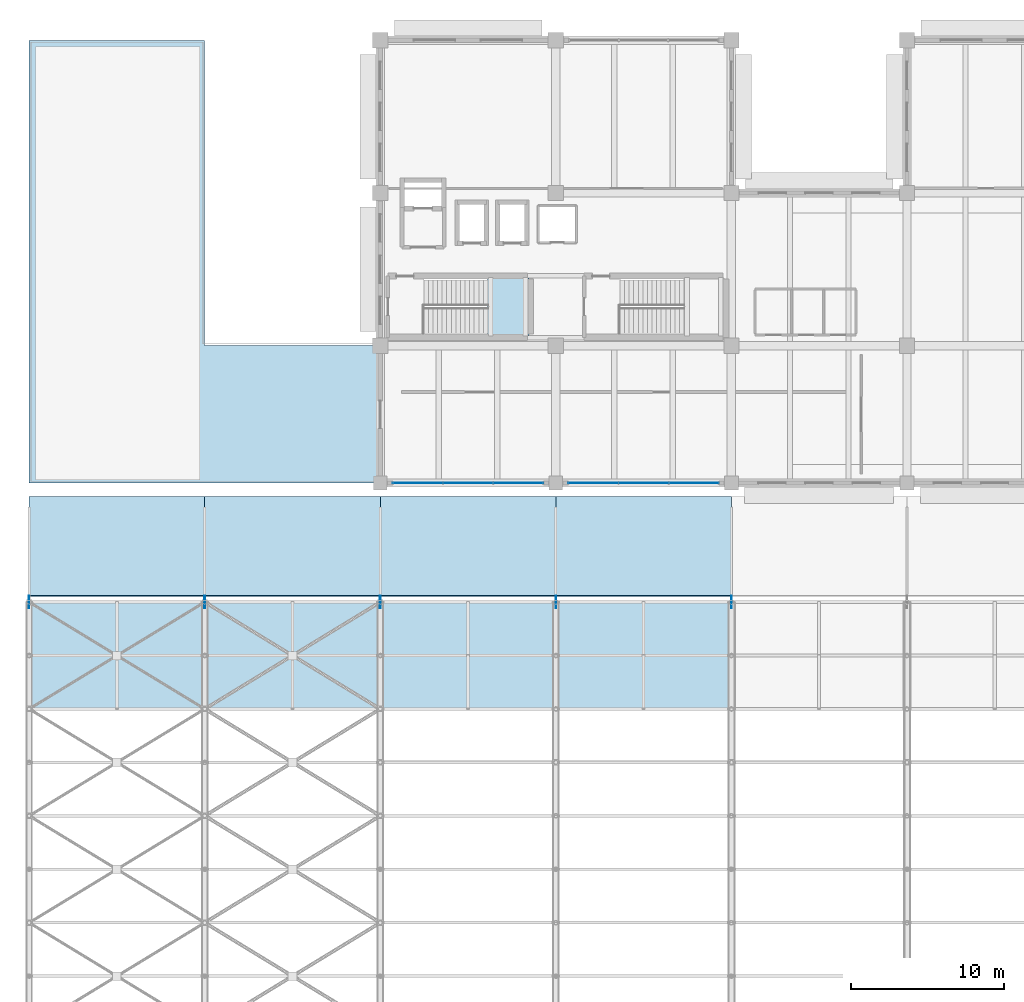
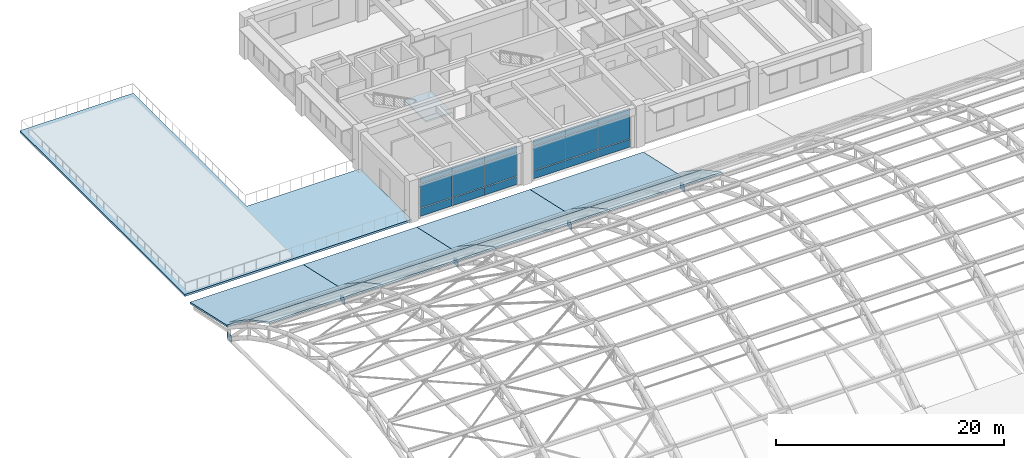
# One storey, part 127 of 154: 23 plates, 14 slabs, 3 elements without a shape of their own.
"""IFC4 building model written with IfcOpenShell, lengths in metres."""

from ifc_helpers import new_model, si_unit, direction, frame, origin, origin_2d, place, context, subcontext, project, spatial, polyline, rectangle, outline, extrude, material, layer, layer_set, type_object, element, aggregate, save


model = new_model("IFC4")

# Units and contexts
model_context = context("Model", 3, precision=1e-05, world=origin(), true_north=direction((0.0, 1.0)))
body_context = subcontext(model_context, "Body", "Model", "MODEL_VIEW")
ifc_project = project(units=[si_unit("LENGTHUNIT", "METRE"), si_unit("AREAUNIT", "SQUARE_METRE"), si_unit("VOLUMEUNIT", "CUBIC_METRE"), si_unit("PLANEANGLEUNIT", "RADIAN"), si_unit("MASSUNIT", "GRAM", prefix="KILO")], contexts=[model_context])

# Site, building, storey
site_placement = place(None, origin())
site = spatial("IfcSite", under=ifc_project, at=site_placement, CompositionType="ELEMENT")
building_placement = place(site_placement, origin())
building = spatial("IfcBuilding", under=site, at=building_placement, Name="Ologun Quay Terminus", CompositionType="ELEMENT")
storey_placement = place(building_placement, frame((0.0, 0.0, 13.800048828125)))
storey = spatial("IfcBuildingStorey", under=building, at=storey_placement, Name="L03", CompositionType="ELEMENT", Elevation=13.800048828125)

# Plates
ifc_material_1 = material(Name="Steel S355", Category="steel")
ifc_layer_1 = layer(ifc_material_1, 0.0400390625)
ifc_layer_set_1 = layer_set([ifc_layer_1], Name="Steel S355")
plate_type_1 = type_object("IfcPlateType", Name="Arch Springing Steel Gusset Plate 40", PredefinedType="SHEET", material=ifc_layer_set_1)
for number, where, z_axis, x_axis, name in (
    (1, (0.0, 78.0, -0.2001953125), (0.0, 0.0, 1.0), (0.0, 1.0, 0.0), "PL-GUS Arch Springing Gusset 1/F"),
    (2, (11.5, 78.0, -0.2001953125), (0.0, 0.0, 1.0), (0.0, 1.0, 0.0), "PL-GUS Arch Springing Gusset 2/F"),
    (3, (23.0, 78.0, -0.2001953125), (0.0, 0.0, 1.0), (0.0, 1.0, 0.0), "PL-GUS Arch Springing Gusset 3/F"),
    (4, (34.5, 78.0, -0.2001953125), (0.0, 0.0, 1.0), (0.0, 1.0, 0.0), "PL-GUS Arch Springing Gusset 4/F"),
    (5, (46.0, 78.0, -0.2001953125), (0.0, 0.0, 1.0), (0.0, 1.0, 0.0), "PL-GUS Arch Springing Gusset 5/F"),
):
    element("IfcPlate", number, at=place(storey_placement, frame(where, z_axis=z_axis, x_axis=x_axis)), inside=storey, type_object=plate_type_1, Name=name, PredefinedType="SHEET", context=body_context, shape_type="SweptSolid", body=[
        extrude(rectangle(XDim=0.800048828125, YDim=0.0400390625, at=origin_2d()), origin(), (0.0, 0.0, 1.0), 0.699951171875),
    ])

# Curtain wall, plates
ifc_material_2 = material(Name="Aluminium 6063-T6", Category="aluminium")
curtain_wall_type = type_object("IfcCurtainWallType", Name="Waterfront Pavilion Harbour Curtain Wall L03 10600x4150", PredefinedType="USERDEFINED", material=ifc_material_2)
curtain_wall_1_placement = place(storey_placement, origin())
curtain_wall_1 = element("IfcCurtainWall", 6, at=curtain_wall_1_placement, inside=storey, type_object=curtain_wall_type, Name="CW-25 Curtain Wall CW-L03-109", ObjectType="UNITISED CURTAIN WALL", PredefinedType="USERDEFINED")
ifc_material_3 = material(Name="Aluminium 6063-T6", Category="aluminium")
ifc_layer_2 = layer(ifc_material_3, 0.050048828125)
ifc_layer_set_2 = layer_set([ifc_layer_2], Name="Aluminium 6063-T6")
plate_type_2 = type_object("IfcPlateType", Name="Insulated Aluminium Shadow-Box Spandrel 50", PredefinedType="CURTAIN_PANEL", material=ifc_layer_set_2)
plate_1_placement = place(storey_placement, frame((25.46337890625, 85.800048828125, 0.02978515625), z_axis=(0.0, 0.0, 1.0), x_axis=(1.0, 0.0, 0.0)))
plate_1 = element("IfcPlate", 7, at=plate_1_placement, type_object=plate_type_2, Name="CW-L03-109 Panel B1-1", PredefinedType="CURTAIN_PANEL", context=body_context, shape_type="SweptSolid", body=[
    extrude(rectangle(XDim=3.28662109375, YDim=0.050048828125, at=origin_2d()), origin(), (0.0, 0.0, 1.0), 0.840087890625),
])
plate_2_placement = place(storey_placement, frame((28.75, 85.800048828125, 0.02978515625), z_axis=(0.0, 0.0, 1.0), x_axis=(1.0, 0.0, 0.0)))
plate_2 = element("IfcPlate", 8, at=plate_2_placement, type_object=plate_type_2, Name="CW-L03-109 Panel B2-1", PredefinedType="CURTAIN_PANEL", context=body_context, shape_type="SweptSolid", body=[
    extrude(rectangle(XDim=3.28662109375, YDim=0.050048828125, at=origin_2d()), origin(), (0.0, 0.0, 1.0), 0.840087890625),
])
plate_3_placement = place(storey_placement, frame((32.03662109375, 85.800048828125, 0.02978515625), z_axis=(0.0, 0.0, 1.0), x_axis=(1.0, 0.0, 0.0)))
plate_3 = element("IfcPlate", 9, at=plate_3_placement, type_object=plate_type_2, Name="CW-L03-109 Panel B3-1", PredefinedType="CURTAIN_PANEL", context=body_context, shape_type="SweptSolid", body=[
    extrude(rectangle(XDim=3.28662109375, YDim=0.050048828125, at=origin_2d()), origin(), (0.0, 0.0, 1.0), 0.840087890625),
])

curtain_wall_2_placement = place(storey_placement, origin())
curtain_wall_2 = element("IfcCurtainWall", 10, at=curtain_wall_2_placement, inside=storey, type_object=curtain_wall_type, Name="CW-25 Curtain Wall CW-L03-110", ObjectType="UNITISED CURTAIN WALL", PredefinedType="USERDEFINED")
plate_4_placement = place(storey_placement, frame((36.96337890625, 85.800048828125, 0.02978515625), z_axis=(0.0, 0.0, 1.0), x_axis=(1.0, 0.0, 0.0)))
plate_4 = element("IfcPlate", 11, at=plate_4_placement, type_object=plate_type_2, Name="CW-L03-110 Panel B1-1", PredefinedType="CURTAIN_PANEL", context=body_context, shape_type="SweptSolid", body=[
    extrude(rectangle(XDim=3.28662109375, YDim=0.050048828125, at=origin_2d()), origin(), (0.0, 0.0, 1.0), 0.840087890625),
])
plate_5_placement = place(storey_placement, frame((40.25, 85.800048828125, 0.02978515625), z_axis=(0.0, 0.0, 1.0), x_axis=(1.0, 0.0, 0.0)))
plate_5 = element("IfcPlate", 12, at=plate_5_placement, type_object=plate_type_2, Name="CW-L03-110 Panel B2-1", PredefinedType="CURTAIN_PANEL", context=body_context, shape_type="SweptSolid", body=[
    extrude(rectangle(XDim=3.28662109375, YDim=0.050048828125, at=origin_2d()), origin(), (0.0, 0.0, 1.0), 0.840087890625),
])
plate_6_placement = place(storey_placement, frame((43.53662109375, 85.800048828125, 0.02978515625), z_axis=(0.0, 0.0, 1.0), x_axis=(1.0, 0.0, 0.0)))
plate_6 = element("IfcPlate", 13, at=plate_6_placement, type_object=plate_type_2, Name="CW-L03-110 Panel B3-1", PredefinedType="CURTAIN_PANEL", context=body_context, shape_type="SweptSolid", body=[
    extrude(rectangle(XDim=3.28662109375, YDim=0.050048828125, at=origin_2d()), origin(), (0.0, 0.0, 1.0), 0.840087890625),
])

# Slabs
ifc_material_4 = material(Name="Concrete C40/50", Category="concrete")
ifc_layer_3 = layer(ifc_material_4, 0.199951171875)
ifc_layer_set_3 = layer_set([ifc_layer_3], Name="Concrete C40/50")
slab_type_1 = type_object("IfcSlabType", Name="Pitched Overhanging Concrete Roof Slab 200", PredefinedType="ROOF", material=ifc_layer_set_3)
for number, where, z_axis, x_axis, name in (
    (14, (0.0, 84.909912109375, -0.271240234375), (0.0, 0.21695378705, 0.976181875618), (1.0, 0.0, 0.0), "SL-RF North Gallery Sloped Roof Bay 1"),
    (15, (11.5, 84.909912109375, -0.271240234375), (0.0, 0.21695378705, 0.976181875618), (1.0, 0.0, 0.0), "SL-RF North Gallery Sloped Roof Bay 2"),
    (16, (23.0, 84.909912109375, -0.271240234375), (0.0, 0.21695378705, 0.976181875618), (1.0, 0.0, 0.0), "SL-RF North Gallery Sloped Roof Bay 3"),
    (17, (34.5, 84.909912109375, -0.271240234375), (0.0, 0.21695378705, 0.976181875618), (1.0, 0.0, 0.0), "SL-RF North Gallery Sloped Roof Bay 4"),
):
    element("IfcSlab", number, at=place(storey_placement, frame(where, z_axis=z_axis, x_axis=x_axis)), inside=storey, type_object=slab_type_1, Name=name, PredefinedType="ROOF", context=body_context, shape_type="SweptSolid", body=[
        extrude(outline(polyline([(0.0, 0.0), (11.5, 0.0), (11.5, -6.648341253281022), (0.0, -6.648341253281022), (0.0, 0.0)])), origin(), (0.0, 0.0, -1.0), 0.199951171875),
    ])

# Stair, slab
ifc_material_5 = material(Name="Concrete C40/50", Category="concrete")
stair_type = type_object("IfcStairType", Name="Courtyard Wing Core Escape Stair 1700", PredefinedType="HALF_TURN_STAIR", material=ifc_material_5)
stair_placement = place(storey_placement, origin())
stair = element("IfcStair", 18, at=stair_placement, inside=storey, type_object=stair_type, Name="ST-W1 Stair L03", PredefinedType="HALF_TURN_STAIR")
ifc_material_6 = material(Name="Precast Concrete C40/50", Category="concrete")
ifc_layer_4 = layer(ifc_material_6, 0.179931640625)
ifc_layer_set_4 = layer_set([ifc_layer_4], Name="Precast Concrete C40/50")
slab_type_2 = type_object("IfcSlabType", Name="Precast Stair Half-Landing Slab 180", PredefinedType="LANDING", material=ifc_layer_set_4)
slab_1_placement = place(storey_placement, frame((0.0, 0.0, 2.070068359375)))
slab_1 = element("IfcSlab", 19, at=slab_1_placement, type_object=slab_type_2, Name="ST-W1 Half-Landing L03", PredefinedType="LANDING", context=body_context, shape_type="SweptSolid", body=[
    extrude(outline(polyline([(30.02001953125, 95.469970703125), (32.72998046875, 95.469970703125), (32.72998046875, 99.22998046875), (30.02001953125, 99.22998046875), (30.02001953125, 95.469970703125)])), origin(), (0.0, 0.0, 1.0), 0.179931640625),
])
aggregate(stair, [slab_1])

# Plate
ifc_material_7 = material(Name="Glass", Category="glass")
ifc_layer_5 = layer(ifc_material_7, 0.028076171875)
ifc_layer_set_5 = layer_set([ifc_layer_5], Name="Glass")
plate_type_3 = type_object("IfcPlateType", Name="Solar-Control Double Glazed Panel 28", PredefinedType="CURTAIN_PANEL", material=ifc_layer_set_5)
plate_7_placement = place(storey_placement, frame((25.46337890625, 85.800048828125, 0.9296875), z_axis=(0.0, 0.0, 1.0), x_axis=(1.0, 0.0, 0.0)))
plate_7 = element("IfcPlate", 20, at=plate_7_placement, type_object=plate_type_3, Name="CW-L03-109 Panel B1-2", PredefinedType="CURTAIN_PANEL", context=body_context, shape_type="SweptSolid", body=[
    extrude(rectangle(XDim=3.28662109375, YDim=0.028076171875, at=origin_2d()), origin(), (0.0, 0.0, 1.0), 2.570068359375),
])

plate_8_placement = place(storey_placement, frame((25.46337890625, 85.800048828125, 3.56005859375), z_axis=(0.0, 0.0, 1.0), x_axis=(1.0, 0.0, 0.0)))
plate_8 = element("IfcPlate", 21, at=plate_8_placement, type_object=plate_type_3, Name="CW-L03-109 Panel B1-3", PredefinedType="CURTAIN_PANEL", context=body_context, shape_type="SweptSolid", body=[
    extrude(rectangle(XDim=3.28662109375, YDim=0.028076171875, at=origin_2d()), origin(), (0.0, 0.0, 1.0), 0.639892578125),
])

plate_9_placement = place(storey_placement, frame((28.75, 85.800048828125, 0.9296875), z_axis=(0.0, 0.0, 1.0), x_axis=(1.0, 0.0, 0.0)))
plate_9 = element("IfcPlate", 22, at=plate_9_placement, type_object=plate_type_3, Name="CW-L03-109 Panel B2-2", PredefinedType="CURTAIN_PANEL", context=body_context, shape_type="SweptSolid", body=[
    extrude(rectangle(XDim=3.28662109375, YDim=0.028076171875, at=origin_2d()), origin(), (0.0, 0.0, 1.0), 2.570068359375),
])

plate_10_placement = place(storey_placement, frame((28.75, 85.800048828125, 3.56005859375), z_axis=(0.0, 0.0, 1.0), x_axis=(1.0, 0.0, 0.0)))
plate_10 = element("IfcPlate", 23, at=plate_10_placement, type_object=plate_type_3, Name="CW-L03-109 Panel B2-3", PredefinedType="CURTAIN_PANEL", context=body_context, shape_type="SweptSolid", body=[
    extrude(rectangle(XDim=3.28662109375, YDim=0.028076171875, at=origin_2d()), origin(), (0.0, 0.0, 1.0), 0.639892578125),
])

plate_11_placement = place(storey_placement, frame((32.03662109375, 85.800048828125, 0.9296875), z_axis=(0.0, 0.0, 1.0), x_axis=(1.0, 0.0, 0.0)))
plate_11 = element("IfcPlate", 24, at=plate_11_placement, type_object=plate_type_3, Name="CW-L03-109 Panel B3-2", PredefinedType="CURTAIN_PANEL", context=body_context, shape_type="SweptSolid", body=[
    extrude(rectangle(XDim=3.28662109375, YDim=0.028076171875, at=origin_2d()), origin(), (0.0, 0.0, 1.0), 2.570068359375),
])

plate_12_placement = place(storey_placement, frame((32.03662109375, 85.800048828125, 3.56005859375), z_axis=(0.0, 0.0, 1.0), x_axis=(1.0, 0.0, 0.0)))
plate_12 = element("IfcPlate", 25, at=plate_12_placement, type_object=plate_type_3, Name="CW-L03-109 Panel B3-3", PredefinedType="CURTAIN_PANEL", context=body_context, shape_type="SweptSolid", body=[
    extrude(rectangle(XDim=3.28662109375, YDim=0.028076171875, at=origin_2d()), origin(), (0.0, 0.0, 1.0), 0.639892578125),
])

aggregate(curtain_wall_1, [plate_1, plate_7, plate_8, plate_2, plate_9, plate_10, plate_3, plate_11, plate_12])

plate_13_placement = place(storey_placement, frame((36.96337890625, 85.800048828125, 0.9296875), z_axis=(0.0, 0.0, 1.0), x_axis=(1.0, 0.0, 0.0)))
plate_13 = element("IfcPlate", 26, at=plate_13_placement, type_object=plate_type_3, Name="CW-L03-110 Panel B1-2", PredefinedType="CURTAIN_PANEL", context=body_context, shape_type="SweptSolid", body=[
    extrude(rectangle(XDim=3.28662109375, YDim=0.028076171875, at=origin_2d()), origin(), (0.0, 0.0, 1.0), 2.570068359375),
])

plate_14_placement = place(storey_placement, frame((36.96337890625, 85.800048828125, 3.56005859375), z_axis=(0.0, 0.0, 1.0), x_axis=(1.0, 0.0, 0.0)))
plate_14 = element("IfcPlate", 27, at=plate_14_placement, type_object=plate_type_3, Name="CW-L03-110 Panel B1-3", PredefinedType="CURTAIN_PANEL", context=body_context, shape_type="SweptSolid", body=[
    extrude(rectangle(XDim=3.28662109375, YDim=0.028076171875, at=origin_2d()), origin(), (0.0, 0.0, 1.0), 0.639892578125),
])

plate_15_placement = place(storey_placement, frame((40.25, 85.800048828125, 0.9296875), z_axis=(0.0, 0.0, 1.0), x_axis=(1.0, 0.0, 0.0)))
plate_15 = element("IfcPlate", 28, at=plate_15_placement, type_object=plate_type_3, Name="CW-L03-110 Panel B2-2", PredefinedType="CURTAIN_PANEL", context=body_context, shape_type="SweptSolid", body=[
    extrude(rectangle(XDim=3.28662109375, YDim=0.028076171875, at=origin_2d()), origin(), (0.0, 0.0, 1.0), 2.570068359375),
])

plate_16_placement = place(storey_placement, frame((40.25, 85.800048828125, 3.56005859375), z_axis=(0.0, 0.0, 1.0), x_axis=(1.0, 0.0, 0.0)))
plate_16 = element("IfcPlate", 29, at=plate_16_placement, type_object=plate_type_3, Name="CW-L03-110 Panel B2-3", PredefinedType="CURTAIN_PANEL", context=body_context, shape_type="SweptSolid", body=[
    extrude(rectangle(XDim=3.28662109375, YDim=0.028076171875, at=origin_2d()), origin(), (0.0, 0.0, 1.0), 0.639892578125),
])

plate_17_placement = place(storey_placement, frame((43.53662109375, 85.800048828125, 0.9296875), z_axis=(0.0, 0.0, 1.0), x_axis=(1.0, 0.0, 0.0)))
plate_17 = element("IfcPlate", 30, at=plate_17_placement, type_object=plate_type_3, Name="CW-L03-110 Panel B3-2", PredefinedType="CURTAIN_PANEL", context=body_context, shape_type="SweptSolid", body=[
    extrude(rectangle(XDim=3.28662109375, YDim=0.028076171875, at=origin_2d()), origin(), (0.0, 0.0, 1.0), 2.570068359375),
])

plate_18_placement = place(storey_placement, frame((43.53662109375, 85.800048828125, 3.56005859375), z_axis=(0.0, 0.0, 1.0), x_axis=(1.0, 0.0, 0.0)))
plate_18 = element("IfcPlate", 31, at=plate_18_placement, type_object=plate_type_3, Name="CW-L03-110 Panel B3-3", PredefinedType="CURTAIN_PANEL", context=body_context, shape_type="SweptSolid", body=[
    extrude(rectangle(XDim=3.28662109375, YDim=0.028076171875, at=origin_2d()), origin(), (0.0, 0.0, 1.0), 0.639892578125),
])

aggregate(curtain_wall_2, [plate_4, plate_13, plate_14, plate_5, plate_15, plate_16, plate_6, plate_17, plate_18])

# Slabs
ifc_material_8 = material(Name="Steel S355", Category="steel")
ifc_layer_6 = layer(ifc_material_8, 0.159912109375)
ifc_layer_set_6 = layer_set([ifc_layer_6], Name="Steel S355")
slab_type_3 = type_object("IfcSlabType", Name="Train Shed Barrel Roof Facet Slab 160", PredefinedType="ROOF", material=ifc_layer_set_6)
slab_2_placement = place(storey_placement, frame((0.0, 71.0, 6.0283203125), z_axis=(0.0, 0.473176099324, 0.880967864924), x_axis=(1.0, 0.0, 0.0)))
element("IfcSlab", 32, at=slab_2_placement, inside=storey, type_object=slab_type_3, Name="SL-SHD Train Shed Eave Roof Facet B1-P11", PredefinedType="ROOF", context=body_context, shape_type="SweptSolid", body=[
    extrude(outline(polyline([(0.0, 0.0), (11.5, 0.0), (11.5, 3.972903143638529), (0.0, 3.972903143638529), (0.0, 0.0)])), origin(), (0.0, 0.0, -1.0), 0.159912109375),
])
slab_3_placement = place(storey_placement, frame((0.0, 74.5, 4.158203125), z_axis=(0.0, 0.55717065423, 0.830398014247), x_axis=(1.0, 0.0, 0.0)))
element("IfcSlab", 33, at=slab_3_placement, inside=storey, type_object=slab_type_3, Name="SL-SHD Train Shed Eave Roof Facet B1-P12", PredefinedType="ROOF", context=body_context, shape_type="SweptSolid", body=[
    extrude(outline(polyline([(0.0, 0.0), (11.5, 0.0), (11.5, 4.214846302558472), (0.0, 4.214846302558472), (0.0, 0.0)])), origin(), (0.0, 0.0, -1.0), 0.159912109375),
])
slab_4_placement = place(storey_placement, frame((11.5, 71.0, 6.0283203125), z_axis=(0.0, 0.473176099324, 0.880967864924), x_axis=(1.0, 0.0, 0.0)))
element("IfcSlab", 34, at=slab_4_placement, inside=storey, type_object=slab_type_3, Name="SL-SHD Train Shed Eave Roof Facet B2-P11", PredefinedType="ROOF", context=body_context, shape_type="SweptSolid", body=[
    extrude(outline(polyline([(0.0, 0.0), (11.5, 0.0), (11.5, 3.972903143638529), (0.0, 3.972903143638529), (0.0, 0.0)])), origin(), (0.0, 0.0, -1.0), 0.159912109375),
])
slab_5_placement = place(storey_placement, frame((11.5, 74.5, 4.158203125), z_axis=(0.0, 0.55717065423, 0.830398014247), x_axis=(1.0, 0.0, 0.0)))
element("IfcSlab", 35, at=slab_5_placement, inside=storey, type_object=slab_type_3, Name="SL-SHD Train Shed Eave Roof Facet B2-P12", PredefinedType="ROOF", context=body_context, shape_type="SweptSolid", body=[
    extrude(outline(polyline([(0.0, 0.0), (11.5, 0.0), (11.5, 4.214846302558472), (0.0, 4.214846302558472), (0.0, 0.0)])), origin(), (0.0, 0.0, -1.0), 0.159912109375),
])
slab_6_placement = place(storey_placement, frame((23.0, 71.0, 6.0283203125), z_axis=(0.0, 0.473176099324, 0.880967864924), x_axis=(1.0, 0.0, 0.0)))
element("IfcSlab", 36, at=slab_6_placement, inside=storey, type_object=slab_type_3, Name="SL-SHD Train Shed Eave Roof Facet B3-P11", PredefinedType="ROOF", context=body_context, shape_type="SweptSolid", body=[
    extrude(outline(polyline([(0.0, 0.0), (11.5, 0.0), (11.5, 3.972903143638529), (0.0, 3.972903143638529), (0.0, 0.0)])), origin(), (0.0, 0.0, -1.0), 0.159912109375),
])
slab_7_placement = place(storey_placement, frame((23.0, 74.5, 4.158203125), z_axis=(0.0, 0.55717065423, 0.830398014247), x_axis=(1.0, 0.0, 0.0)))
element("IfcSlab", 37, at=slab_7_placement, inside=storey, type_object=slab_type_3, Name="SL-SHD Train Shed Eave Roof Facet B3-P12", PredefinedType="ROOF", context=body_context, shape_type="SweptSolid", body=[
    extrude(outline(polyline([(0.0, 0.0), (11.5, 0.0), (11.5, 4.214846302558472), (0.0, 4.214846302558472), (0.0, 0.0)])), origin(), (0.0, 0.0, -1.0), 0.159912109375),
])
slab_8_placement = place(storey_placement, frame((34.5, 71.0, 6.0283203125), z_axis=(0.0, 0.473176099324, 0.880967864924), x_axis=(1.0, 0.0, 0.0)))
element("IfcSlab", 38, at=slab_8_placement, inside=storey, type_object=slab_type_3, Name="SL-SHD Train Shed Eave Roof Facet B4-P11", PredefinedType="ROOF", context=body_context, shape_type="SweptSolid", body=[
    extrude(outline(polyline([(0.0, 0.0), (11.5, 0.0), (11.5, 3.972903143638529), (0.0, 3.972903143638529), (0.0, 0.0)])), origin(), (0.0, 0.0, -1.0), 0.159912109375),
])
slab_9_placement = place(storey_placement, frame((34.5, 74.5, 4.158203125), z_axis=(0.0, 0.55717065423, 0.830398014247), x_axis=(1.0, 0.0, 0.0)))
element("IfcSlab", 39, at=slab_9_placement, inside=storey, type_object=slab_type_3, Name="SL-SHD Train Shed Eave Roof Facet B4-P12", PredefinedType="ROOF", context=body_context, shape_type="SweptSolid", body=[
    extrude(outline(polyline([(0.0, 0.0), (11.5, 0.0), (11.5, 4.214846302558472), (0.0, 4.214846302558472), (0.0, 0.0)])), origin(), (0.0, 0.0, -1.0), 0.159912109375),
])
ifc_material_9 = material(Name="Concrete C40/50", Category="concrete")
ifc_layer_7 = layer(ifc_material_9, 0.219970703125)
ifc_layer_set_7 = layer_set([ifc_layer_7], Name="Concrete C40/50")
slab_type_4 = type_object("IfcSlabType", Name="Waterfront & Courtyard Terrace Slab 220", PredefinedType="FLOOR", material=ifc_layer_set_7)
slab_10_placement = place(storey_placement, frame((0.0, 0.0, -0.219970703125)))
element("IfcSlab", 40, at=slab_10_placement, inside=storey, type_object=slab_type_4, Name="SL-TER West Harbour Roof Terrace Slab L03", PredefinedType="FLOOR", context=body_context, shape_type="SweptSolid", body=[
    extrude(outline(polyline([(0.0, 85.800048828125), (23.0, 85.800048828125), (23.0, 94.800048828125), (11.5, 94.800048828125), (11.5, 114.800048828125), (0.0, 114.800048828125), (0.0, 85.800048828125)])), origin(), (0.0, 0.0, 1.0), 0.219970703125),
])

save(model, "model.ifc")
